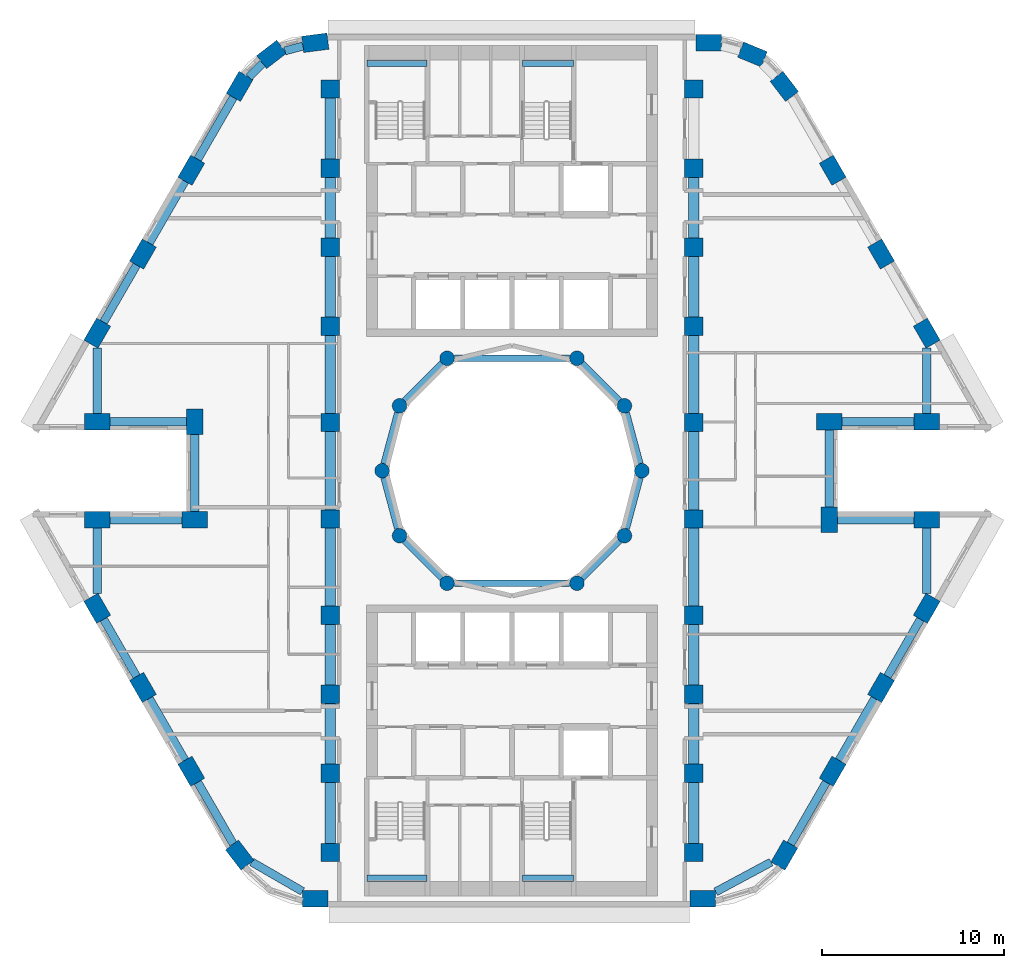
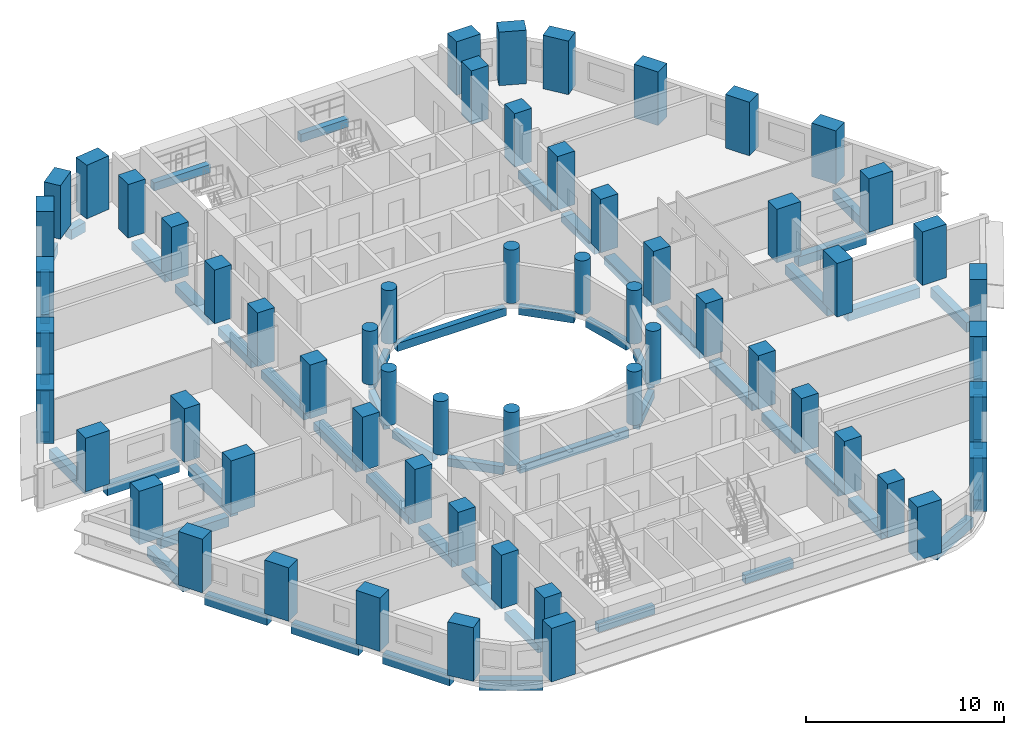
# One storey, part 1 of 12: 60 columns, 54 beams.
"""IFC4 building model written with IfcOpenShell, lengths in metres."""

from ifc_helpers import new_model, si_unit, direction, frame, origin, origin_2d, place, context, subcontext, project, spatial, rectangle, circle, extrude, material, material_profile, profile_set, type_object, element, save


model = new_model("IFC4")

# Units and contexts
model_context = context("Model", 3, precision=1e-05, world=origin(), true_north=direction((0.0, 1.0)))
body_context = subcontext(model_context, "Body", "Model", "MODEL_VIEW")
ifc_project = project(units=[si_unit("LENGTHUNIT", "METRE"), si_unit("AREAUNIT", "SQUARE_METRE"), si_unit("VOLUMEUNIT", "CUBIC_METRE"), si_unit("PLANEANGLEUNIT", "RADIAN"), si_unit("MASSUNIT", "GRAM", prefix="KILO")], contexts=[model_context])

# Site, building, storey
site_placement = place(None, origin())
site = spatial("IfcSite", under=ifc_project, at=site_placement, CompositionType="ELEMENT")
building_placement = place(site_placement, origin())
building = spatial("IfcBuilding", under=site, at=building_placement, Name="Nakaniwa Court", CompositionType="ELEMENT")
storey_placement = place(building_placement, frame((0.0, 0.0, 104.10009765625)))
storey = spatial("IfcBuildingStorey", under=building, at=storey_placement, Name="L27", CompositionType="ELEMENT", Elevation=104.10009765625)

# Columns
ifc_material = material(Name="Concrete C80/100", Category="concrete")
ifc_material_profile_1 = material_profile(ifc_material, rectangle(XDim=1.0, YDim=1.0, at=origin_2d()), Name="Concrete C80/100 RC 1000x1000 spine column")
ifc_profile_set_1 = profile_set([ifc_material_profile_1], Name="Concrete C80/100")
column_type_1 = type_object("IfcColumnType", Name="Concrete C80/100 RC 1000x1000 spine column", PredefinedType="COLUMN", material=ifc_profile_set_1)
for number, where, z_axis, x_axis, name in (
    (1, (90.0, 59.0, 0.0), (0.0, 0.0, 1.0), (0.0, 1.0, 0.0), "COLUMN CS-01"),
    (2, (90.0, 63.35009765625, 0.0), (0.0, 0.0, 1.0), (0.0, 1.0, 0.0), "COLUMN CS-02"),
    (3, (90.0, 67.699951171875, 0.0), (0.0, 0.0, 1.0), (0.0, 1.0, 0.0), "COLUMN CS-03"),
    (4, (90.0, 72.050048828125, 0.0), (0.0, 0.0, 1.0), (0.0, 1.0, 0.0), "COLUMN CS-04"),
    (5, (90.0, 77.35009765625, 0.0), (0.0, 0.0, 1.0), (0.0, 1.0, 0.0), "COLUMN CS-05"),
    (6, (90.0, 82.64990234375, 0.0), (0.0, 0.0, 1.0), (0.0, 1.0, 0.0), "COLUMN CS-06"),
    (7, (90.0, 87.949951171875, 0.0), (0.0, 0.0, 1.0), (0.0, 1.0, 0.0), "COLUMN CS-07"),
    (8, (90.0, 92.300048828125, 0.0), (0.0, 0.0, 1.0), (0.0, 1.0, 0.0), "COLUMN CS-08"),
    (9, (90.0, 96.64990234375, 0.0), (0.0, 0.0, 1.0), (0.0, 1.0, 0.0), "COLUMN CS-09"),
    (10, (90.0, 101.0, 0.0), (0.0, 0.0, 1.0), (0.0, 1.0, 0.0), "COLUMN CS-10"),
    (11, (70.0, 101.0, 0.0), (0.0, 0.0, 1.0), (0.0, -1.0, 0.0), "COLUMN CS-11"),
    (12, (70.0, 96.64990234375, 0.0), (0.0, 0.0, 1.0), (0.0, -1.0, 0.0), "COLUMN CS-12"),
    (13, (70.0, 92.300048828125, 0.0), (0.0, 0.0, 1.0), (0.0, -1.0, 0.0), "COLUMN CS-13"),
    (14, (70.0, 87.949951171875, 0.0), (0.0, 0.0, 1.0), (0.0, -1.0, 0.0), "COLUMN CS-14"),
    (15, (70.0, 82.64990234375, 0.0), (0.0, 0.0, 1.0), (0.0, -1.0, 0.0), "COLUMN CS-15"),
    (16, (70.0, 77.35009765625, 0.0), (0.0, 0.0, 1.0), (0.0, -1.0, 0.0), "COLUMN CS-16"),
    (17, (70.0, 72.050048828125, 0.0), (0.0, 0.0, 1.0), (0.0, -1.0, 0.0), "COLUMN CS-17"),
    (18, (70.0, 67.699951171875, 0.0), (0.0, 0.0, 1.0), (0.0, -1.0, 0.0), "COLUMN CS-18"),
    (19, (70.0, 63.35009765625, 0.0), (0.0, 0.0, 1.0), (0.0, -1.0, 0.0), "COLUMN CS-19"),
    (20, (70.0, 59.0, 0.0), (0.0, 0.0, 1.0), (0.0, -1.0, 0.0), "COLUMN CS-20"),
):
    element("IfcColumn", number, at=place(storey_placement, frame(where, z_axis=z_axis, x_axis=x_axis)), inside=storey, type_object=column_type_1, Name=name, PredefinedType="COLUMN", context=body_context, shape_type="SweptSolid", body=[
        extrude(rectangle(XDim=1.0, YDim=1.0, at=origin_2d()), origin(), (0.0, 0.0, 1.0), 3.2998046875),
    ])
ifc_material_profile_2 = material_profile(ifc_material, rectangle(XDim=1.39990234375, YDim=0.89990234375, at=origin_2d()), Name="Concrete C80/100 RC 1400x900 perimeter column")
ifc_profile_set_2 = profile_set([ifc_material_profile_2], Name="Concrete C80/100")
column_type_2 = type_object("IfcColumnType", Name="Concrete C80/100 RC 1400x900 perimeter column", PredefinedType="COLUMN", material=ifc_profile_set_2)
for number, where, z_axis, x_axis, name in (
    (21, (69.17529296875, 103.550048828125, 0.0), (0.0, 0.0, 1.0), (-0.991442583111, -0.130543496177, 0.0), "COLUMN CO-01"),
    (22, (66.772705078125, 102.91015625, 0.0), (0.0, 0.0, 1.0), (-0.793363965062, -0.608747582288, 0.0), "COLUMN CO-02"),
    (23, (65.017578125, 101.1494140625, 0.0), (0.0, 0.0, 1.0), (-0.5, -0.866025403784, 0.0), "COLUMN CO-03"),
    (24, (62.3544921875, 96.537109375, 0.0), (0.0, 0.0, 1.0), (-0.5, -0.866025403784, 0.0), "COLUMN CO-04"),
    (25, (59.691650390625, 91.9248046875, 0.0), (0.0, 0.0, 1.0), (-0.5, -0.866025403784, 0.0), "COLUMN CO-05"),
    (26, (57.177001953125, 87.569580078125, 0.0), (0.0, 0.0, 1.0), (-0.5, -0.866025403784, 0.0), "COLUMN CO-06"),
    (27, (57.177001953125, 82.699951171875, 0.0), (0.0, 0.0, 1.0), (1.0, 0.0, 0.0), "COLUMN CO-08"),
    (28, (62.54150390625, 82.699951171875, 0.0), (0.0, 0.0, 1.0), (0.0, -1.0, 0.0), "COLUMN CO-09"),
    (29, (62.54150390625, 77.300048828125, 0.0), (0.0, 0.0, 1.0), (-1.0, 0.0, 0.0), "COLUMN CO-10"),
    (30, (57.177001953125, 77.300048828125, 0.0), (0.0, 0.0, 1.0), (-1.0, 0.0, 0.0), "COLUMN CO-11"),
    (31, (57.177001953125, 72.430419921875, 0.0), (0.0, 0.0, 1.0), (0.5, -0.866025403784, 0.0), "COLUMN CO-13"),
    (32, (59.691650390625, 68.0751953125, 0.0), (0.0, 0.0, 1.0), (0.5, -0.866025403784, 0.0), "COLUMN CO-14"),
    (33, (62.3544921875, 63.462890625, 0.0), (0.0, 0.0, 1.0), (0.5, -0.866025403784, 0.0), "COLUMN CO-15"),
    (34, (65.017578125, 58.8505859375, 0.0), (0.0, 0.0, 1.0), (0.608761429009, -0.793353340291, 0.0), "COLUMN CO-16"),
    (35, (69.17529296875, 56.449951171875, 0.0), (0.0, 0.0, 1.0), (1.0, 0.0, 0.0), "COLUMN CO-17"),
    (36, (90.507080078125, 56.449951171875, 0.0), (0.0, 0.0, 1.0), (1.0, 0.0, 0.0), "COLUMN CO-21"),
    (37, (94.982421875, 58.8505859375, 0.0), (0.0, 0.0, 1.0), (0.5, 0.866025403784, 0.0), "COLUMN CO-22"),
    (38, (97.6455078125, 63.462890625, 0.0), (0.0, 0.0, 1.0), (0.5, 0.866025403784, 0.0), "COLUMN CO-23"),
    (39, (100.308349609375, 68.0751953125, 0.0), (0.0, 0.0, 1.0), (0.5, 0.866025403784, 0.0), "COLUMN CO-24"),
    (40, (102.822998046875, 72.430419921875, 0.0), (0.0, 0.0, 1.0), (0.5, 0.866025403784, 0.0), "COLUMN CO-25"),
    (41, (102.822998046875, 77.300048828125, 0.0), (0.0, 0.0, 1.0), (-1.0, 0.0, 0.0), "COLUMN CO-27"),
    (42, (97.45849609375, 77.300048828125, 0.0), (0.0, 0.0, 1.0), (0.0, 1.0, 0.0), "COLUMN CO-28"),
    (43, (97.45849609375, 82.699951171875, 0.0), (0.0, 0.0, 1.0), (1.0, 0.0, 0.0), "COLUMN CO-29"),
    (44, (102.822998046875, 82.699951171875, 0.0), (0.0, 0.0, 1.0), (1.0, 0.0, 0.0), "COLUMN CO-30"),
    (45, (102.822998046875, 87.569580078125, 0.0), (0.0, 0.0, 1.0), (-0.5, 0.866025403784, 0.0), "COLUMN CO-32"),
    (46, (100.308349609375, 91.9248046875, 0.0), (0.0, 0.0, 1.0), (-0.5, 0.866025403784, 0.0), "COLUMN CO-33"),
    (47, (97.6455078125, 96.537109375, 0.0), (0.0, 0.0, 1.0), (-0.5, 0.866025403784, 0.0), "COLUMN CO-34"),
    (48, (94.982421875, 101.1494140625, 0.0), (0.0, 0.0, 1.0), (-0.608761429009, 0.793353340291, 0.0), "COLUMN CO-35"),
    (49, (93.227294921875, 102.91015625, 0.0), (0.0, 0.0, 1.0), (-0.923879532511, 0.382683432365, 0.0), "COLUMN CO-36"),
    (50, (90.82470703125, 103.550048828125, 0.0), (0.0, 0.0, 1.0), (-1.0, 0.0, 0.0), "COLUMN CO-37"),
):
    element("IfcColumn", number, at=place(storey_placement, frame(where, z_axis=z_axis, x_axis=x_axis)), inside=storey, type_object=column_type_2, Name=name, PredefinedType="COLUMN", context=body_context, shape_type="SweptSolid", body=[
        extrude(rectangle(XDim=1.39990234375, YDim=0.89990234375, at=origin_2d()), origin(), (0.0, 0.0, 1.0), 3.2998046875),
    ])
ifc_material_profile_3 = material_profile(ifc_material, circle(Radius=0.39990234375, at=origin_2d()), Name="Concrete C80/100 RC D800 inner ring column")
ifc_profile_set_3 = profile_set([ifc_material_profile_3], Name="Concrete C80/100")
column_type_3 = type_object("IfcColumnType", Name="Concrete C80/100 RC D800 inner ring column", PredefinedType="COLUMN", material=ifc_profile_set_3)
for number, where, z_axis, x_axis, name in (
    (51, (87.14990234375, 80.0, 0.0), (0.0, 0.0, 1.0), (0.0, 1.0, 0.0), "COLUMN CI-01"),
    (52, (86.192138671875, 83.574951171875, 0.0), (0.0, 0.0, 1.0), (-0.5, 0.866025403784, 0.0), "COLUMN CI-02"),
    (53, (83.574951171875, 86.192138671875, 0.0), (0.0, 0.0, 1.0), (-0.866025403784, 0.5, 0.0), "COLUMN CI-03"),
    (54, (76.425048828125, 86.192138671875, 0.0), (0.0, 0.0, 1.0), (-0.866025403784, -0.5, 0.0), "COLUMN CI-05"),
    (55, (73.807861328125, 83.574951171875, 0.0), (0.0, 0.0, 1.0), (-0.5, -0.866025403784, 0.0), "COLUMN CI-06"),
    (56, (72.85009765625, 80.0, 0.0), (0.0, 0.0, 1.0), (0.0, -1.0, 0.0), "COLUMN CI-07"),
    (57, (73.807861328125, 76.425048828125, 0.0), (0.0, 0.0, 1.0), (0.5, -0.866025403784, 0.0), "COLUMN CI-08"),
    (58, (76.425048828125, 73.807861328125, 0.0), (0.0, 0.0, 1.0), (0.866025403784, -0.5, 0.0), "COLUMN CI-09"),
    (59, (83.574951171875, 73.807861328125, 0.0), (0.0, 0.0, 1.0), (0.866025403784, 0.5, 0.0), "COLUMN CI-11"),
    (60, (86.192138671875, 76.425048828125, 0.0), (0.0, 0.0, 1.0), (0.5, 0.866025403784, 0.0), "COLUMN CI-12"),
):
    element("IfcColumn", number, at=place(storey_placement, frame(where, z_axis=z_axis, x_axis=x_axis)), inside=storey, type_object=column_type_3, Name=name, PredefinedType="COLUMN", context=body_context, shape_type="SweptSolid", body=[
        extrude(circle(Radius=0.39990234375, at=origin_2d()), origin(), (0.0, 0.0, 1.0), 3.2998046875),
    ])

# Beams
ifc_material_profile_4 = material_profile(ifc_material, rectangle(XDim=0.35009765625, YDim=0.5, at=origin_2d()), Name="Concrete C80/100 RC 350x500 landing ledge beam")
ifc_profile_set_4 = profile_set([ifc_material_profile_4], Name="Concrete C80/100")
beam_type_1 = type_object("IfcBeamType", Name="Concrete C80/100 RC 350x500 landing ledge beam", PredefinedType="BEAM", material=ifc_profile_set_4)
beam_1_placement = place(storey_placement, frame((72.02490234375, 102.425048828125, 1.199951171875), z_axis=(1.0, 0.0, 0.0), x_axis=(0.0, 1.0, 0.0)))
element("IfcBeam", 61, at=beam_1_placement, inside=storey, type_object=beam_type_1, Name="LANDING LEDGE BEAM", PredefinedType="BEAM", context=body_context, shape_type="SweptSolid", body=[
    extrude(rectangle(XDim=0.35009765625, YDim=0.5, at=origin_2d()), origin(), (0.0, 0.0, 1.0), 3.300048828125),
])
beam_2_placement = place(storey_placement, frame((80.574951171875, 102.425048828125, 1.199951171875), z_axis=(1.0, 0.0, 0.0), x_axis=(0.0, 1.0, 0.0)))
element("IfcBeam", 62, at=beam_2_placement, inside=storey, type_object=beam_type_1, Name="LANDING LEDGE BEAM", PredefinedType="BEAM", context=body_context, shape_type="SweptSolid", body=[
    extrude(rectangle(XDim=0.35009765625, YDim=0.5, at=origin_2d()), origin(), (0.0, 0.0, 1.0), 2.800048828125),
])
beam_3_placement = place(storey_placement, frame((72.02490234375, 57.574951171875, 1.199951171875), z_axis=(1.0, 0.0, 0.0), x_axis=(0.0, 1.0, 0.0)))
element("IfcBeam", 63, at=beam_3_placement, inside=storey, type_object=beam_type_1, Name="LANDING LEDGE BEAM", PredefinedType="BEAM", context=body_context, shape_type="SweptSolid", body=[
    extrude(rectangle(XDim=0.35009765625, YDim=0.5, at=origin_2d()), origin(), (0.0, 0.0, 1.0), 3.300048828125),
])
beam_4_placement = place(storey_placement, frame((80.574951171875, 57.574951171875, 1.199951171875), z_axis=(1.0, 0.0, 0.0), x_axis=(0.0, 1.0, 0.0)))
element("IfcBeam", 64, at=beam_4_placement, inside=storey, type_object=beam_type_1, Name="LANDING LEDGE BEAM", PredefinedType="BEAM", context=body_context, shape_type="SweptSolid", body=[
    extrude(rectangle(XDim=0.35009765625, YDim=0.5, at=origin_2d()), origin(), (0.0, 0.0, 1.0), 2.800048828125),
])
ifc_material_profile_5 = material_profile(ifc_material, rectangle(XDim=0.35009765625, YDim=0.5, at=origin_2d()), Name="Concrete C80/100 RC 350x500 ring beam")
ifc_profile_set_5 = profile_set([ifc_material_profile_5], Name="Concrete C80/100")
beam_type_2 = type_object("IfcBeamType", Name="Concrete C80/100 RC 350x500 ring beam", PredefinedType="BEAM", material=ifc_profile_set_5)
beam_5_placement = place(storey_placement, frame((87.04638671875, 80.386474609375, -0.525146484375), z_axis=(-0.258778150207, 0.965936783115, 0.0), x_axis=(-0.965936783115, -0.258778150207, 0.0)))
element("IfcBeam", 65, at=beam_5_placement, inside=storey, type_object=beam_type_2, Name="RING BEAM", PredefinedType="BEAM", context=body_context, shape_type="SweptSolid", body=[
    extrude(rectangle(XDim=0.35009765625, YDim=0.5, at=origin_2d()), origin(), (0.0, 0.0, 1.0), 2.901123046875),
])
beam_6_placement = place(storey_placement, frame((85.9091796875, 83.85791015625, -0.525146484375), z_axis=(-0.707106781187, 0.707106781187, 0.0), x_axis=(-0.707106781187, -0.707106781187, 0.0)))
element("IfcBeam", 66, at=beam_6_placement, inside=storey, type_object=beam_type_2, Name="RING BEAM", PredefinedType="BEAM", context=body_context, shape_type="SweptSolid", body=[
    extrude(rectangle(XDim=0.35009765625, YDim=0.5, at=origin_2d()), origin(), (0.0, 0.0, 1.0), 2.90087890625),
])
beam_7_placement = place(storey_placement, frame((83.175048828125, 86.192138671875, -0.525146484375), z_axis=(-1.0, 0.0, 0.0), x_axis=(0.0, -1.0, 0.0)))
element("IfcBeam", 67, at=beam_7_placement, inside=storey, type_object=beam_type_2, Name="RING BEAM", PredefinedType="BEAM", context=body_context, shape_type="SweptSolid", body=[
    extrude(rectangle(XDim=0.35009765625, YDim=0.5, at=origin_2d()), origin(), (0.0, 0.0, 1.0), 6.35009765625),
])
beam_8_placement = place(storey_placement, frame((76.14208984375, 85.9091796875, -0.525146484375), z_axis=(-0.707106781187, -0.707106781187, 0.0), x_axis=(0.707106781187, -0.707106781187, 0.0)))
element("IfcBeam", 68, at=beam_8_placement, inside=storey, type_object=beam_type_2, Name="RING BEAM", PredefinedType="BEAM", context=body_context, shape_type="SweptSolid", body=[
    extrude(rectangle(XDim=0.35009765625, YDim=0.5, at=origin_2d()), origin(), (0.0, 0.0, 1.0), 2.90087890625),
])
for number, where, z_axis, x_axis, name in (
    (69, (73.704345703125, 83.188720703125, -0.525146484375), (-0.258778150207, -0.965936783115, 0.0), (0.965936783115, -0.258778150207, 0.0), "RING BEAM"),
    (70, (72.95361328125, 79.613525390625, -0.525146484375), (0.258778150207, -0.965936783115, 0.0), (0.965936783115, 0.258778150207, 0.0), "RING BEAM"),
):
    element("IfcBeam", number, at=place(storey_placement, frame(where, z_axis=z_axis, x_axis=x_axis)), inside=storey, type_object=beam_type_2, Name=name, PredefinedType="BEAM", context=body_context, shape_type="SweptSolid", body=[
        extrude(rectangle(XDim=0.35009765625, YDim=0.5, at=origin_2d()), origin(), (0.0, 0.0, 1.0), 2.901123046875),
    ])
beam_9_placement = place(storey_placement, frame((74.0908203125, 76.14208984375, -0.525146484375), z_axis=(0.707106781187, -0.707106781187, 0.0), x_axis=(0.707106781187, 0.707106781187, 0.0)))
element("IfcBeam", 71, at=beam_9_placement, inside=storey, type_object=beam_type_2, Name="RING BEAM", PredefinedType="BEAM", context=body_context, shape_type="SweptSolid", body=[
    extrude(rectangle(XDim=0.35009765625, YDim=0.5, at=origin_2d()), origin(), (0.0, 0.0, 1.0), 2.90087890625),
])
beam_10_placement = place(storey_placement, frame((76.824951171875, 73.807861328125, -0.525146484375), z_axis=(1.0, 0.0, 0.0), x_axis=(0.0, 1.0, 0.0)))
element("IfcBeam", 72, at=beam_10_placement, inside=storey, type_object=beam_type_2, Name="RING BEAM", PredefinedType="BEAM", context=body_context, shape_type="SweptSolid", body=[
    extrude(rectangle(XDim=0.35009765625, YDim=0.5, at=origin_2d()), origin(), (0.0, 0.0, 1.0), 6.35009765625),
])
beam_11_placement = place(storey_placement, frame((83.85791015625, 74.0908203125, -0.525146484375), z_axis=(0.707106781187, 0.707106781187, 0.0), x_axis=(-0.707106781187, 0.707106781187, 0.0)))
element("IfcBeam", 73, at=beam_11_placement, inside=storey, type_object=beam_type_2, Name="RING BEAM", PredefinedType="BEAM", context=body_context, shape_type="SweptSolid", body=[
    extrude(rectangle(XDim=0.35009765625, YDim=0.5, at=origin_2d()), origin(), (0.0, 0.0, 1.0), 2.90087890625),
])
beam_12_placement = place(storey_placement, frame((86.295654296875, 76.811279296875, -0.525146484375), z_axis=(0.258778150207, 0.965936783115, 0.0), x_axis=(-0.965936783115, 0.258778150207, 0.0)))
element("IfcBeam", 74, at=beam_12_placement, inside=storey, type_object=beam_type_2, Name="RING BEAM", PredefinedType="BEAM", context=body_context, shape_type="SweptSolid", body=[
    extrude(rectangle(XDim=0.35009765625, YDim=0.5, at=origin_2d()), origin(), (0.0, 0.0, 1.0), 2.901123046875),
])
ifc_material_profile_6 = material_profile(ifc_material, rectangle(XDim=0.449951171875, YDim=0.60009765625, at=origin_2d()), Name="Concrete C80/100 RC 450x600 spandrel beam")
ifc_profile_set_6 = profile_set([ifc_material_profile_6], Name="Concrete C80/100")
beam_type_3 = type_object("IfcBeamType", Name="Concrete C80/100 RC 450x600 spandrel beam", PredefinedType="BEAM", material=ifc_profile_set_6)
beam_13_placement = place(storey_placement, frame((68.4931640625, 103.368408203125, -0.5751953125), z_axis=(-0.966290412053, -0.257454538851, 0.0), x_axis=(0.257454538851, -0.966290412053, 0.0)))
element("IfcBeam", 75, at=beam_13_placement, inside=storey, type_object=beam_type_3, Name="SPANDREL BEAM", PredefinedType="BEAM", context=body_context, shape_type="SweptSolid", body=[
    extrude(rectangle(XDim=0.449951171875, YDim=0.60009765625, at=origin_2d()), origin(), (0.0, 0.0, 1.0), 1.022216796875),
])
beam_14_placement = place(storey_placement, frame((66.274169921875, 102.41015625, -0.5751953125), z_axis=(-0.70606530329, -0.708146727374, 0.0), x_axis=(0.708146727374, -0.70606530329, 0.0)))
element("IfcBeam", 76, at=beam_14_placement, inside=storey, type_object=beam_type_3, Name="SPANDREL BEAM", PredefinedType="BEAM", context=body_context, shape_type="SweptSolid", body=[
    extrude(rectangle(XDim=0.449951171875, YDim=0.60009765625, at=origin_2d()), origin(), (0.0, 0.0, 1.0), 1.0556640625),
])
for number, where, z_axis, x_axis, name in (
    (77, (64.66748046875, 100.543212890625, -0.5751953125), (-0.49999161165, -0.866030246746, 0.0), (0.866030246746, -0.49999161165, 0.0), "SPANDREL BEAM"),
    (78, (62.00439453125, 95.930908203125, -0.5751953125), (-0.49999161165, -0.866030246746, 0.0), (0.866030246746, -0.49999161165, 0.0), "SPANDREL BEAM"),
):
    element("IfcBeam", number, at=place(storey_placement, frame(where, z_axis=z_axis, x_axis=x_axis)), inside=storey, type_object=beam_type_3, Name=name, PredefinedType="BEAM", context=body_context, shape_type="SweptSolid", body=[
        extrude(rectangle(XDim=0.449951171875, YDim=0.60009765625, at=origin_2d()), origin(), (0.0, 0.0, 1.0), 3.92578125),
    ])
beam_15_placement = place(storey_placement, frame((59.341552734375, 91.318603515625, -0.5751953125), z_axis=(-0.499988394233, -0.866032104273, 0.0), x_axis=(0.866032104273, -0.499988394233, 0.0)))
element("IfcBeam", 79, at=beam_15_placement, inside=storey, type_object=beam_type_3, Name="SPANDREL BEAM", PredefinedType="BEAM", context=body_context, shape_type="SweptSolid", body=[
    extrude(rectangle(XDim=0.449951171875, YDim=0.60009765625, at=origin_2d()), origin(), (0.0, 0.0, 1.0), 3.62890625),
])
beam_16_placement = place(storey_placement, frame((57.177001953125, 86.761474609375, -0.5751953125), z_axis=(0.0, -1.0, 0.0), x_axis=(1.0, 0.0, 0.0)))
element("IfcBeam", 80, at=beam_16_placement, inside=storey, type_object=beam_type_3, Name="SPANDREL BEAM", PredefinedType="BEAM", context=body_context, shape_type="SweptSolid", body=[
    extrude(rectangle(XDim=0.449951171875, YDim=0.60009765625, at=origin_2d()), origin(), (0.0, 0.0, 1.0), 3.611572265625),
])
beam_17_placement = place(storey_placement, frame((57.877197265625, 82.699951171875, -0.5751953125), z_axis=(1.0, 0.0, 0.0), x_axis=(0.0, 1.0, 0.0)))
element("IfcBeam", 81, at=beam_17_placement, inside=storey, type_object=beam_type_3, Name="SPANDREL BEAM", PredefinedType="BEAM", context=body_context, shape_type="SweptSolid", body=[
    extrude(rectangle(XDim=0.449951171875, YDim=0.60009765625, at=origin_2d()), origin(), (0.0, 0.0, 1.0), 4.21435546875),
])
beam_18_placement = place(storey_placement, frame((62.54150390625, 82.0, -0.5751953125), z_axis=(0.0, -1.0, 0.0), x_axis=(1.0, 0.0, 0.0)))
element("IfcBeam", 82, at=beam_18_placement, inside=storey, type_object=beam_type_3, Name="SPANDREL BEAM", PredefinedType="BEAM", context=body_context, shape_type="SweptSolid", body=[
    extrude(rectangle(XDim=0.449951171875, YDim=0.60009765625, at=origin_2d()), origin(), (0.0, 0.0, 1.0), 4.25),
])
beam_19_placement = place(storey_placement, frame((61.841552734375, 77.300048828125, -0.5751953125), z_axis=(-1.0, 0.0, 0.0), x_axis=(0.0, -1.0, 0.0)))
element("IfcBeam", 83, at=beam_19_placement, inside=storey, type_object=beam_type_3, Name="SPANDREL BEAM", PredefinedType="BEAM", context=body_context, shape_type="SweptSolid", body=[
    extrude(rectangle(XDim=0.449951171875, YDim=0.60009765625, at=origin_2d()), origin(), (0.0, 0.0, 1.0), 3.96435546875),
])
beam_20_placement = place(storey_placement, frame((57.177001953125, 76.85009765625, -0.5751953125), z_axis=(0.0, -1.0, 0.0), x_axis=(1.0, 0.0, 0.0)))
element("IfcBeam", 84, at=beam_20_placement, inside=storey, type_object=beam_type_3, Name="SPANDREL BEAM", PredefinedType="BEAM", context=body_context, shape_type="SweptSolid", body=[
    extrude(rectangle(XDim=0.449951171875, YDim=0.60009765625, at=origin_2d()), origin(), (0.0, 0.0, 1.0), 3.611572265625),
])
beam_21_placement = place(storey_placement, frame((57.527099609375, 71.82421875, -0.5751953125), z_axis=(0.499988394233, -0.866032104273, 0.0), x_axis=(0.866032104273, 0.499988394233, 0.0)))
element("IfcBeam", 85, at=beam_21_placement, inside=storey, type_object=beam_type_3, Name="SPANDREL BEAM", PredefinedType="BEAM", context=body_context, shape_type="SweptSolid", body=[
    extrude(rectangle(XDim=0.449951171875, YDim=0.60009765625, at=origin_2d()), origin(), (0.0, 0.0, 1.0), 3.62890625),
])
beam_22_placement = place(storey_placement, frame((60.04150390625, 67.468994140625, -0.5751953125), z_axis=(0.49999161165, -0.866030246746, 0.0), x_axis=(0.866030246746, 0.49999161165, 0.0)))
element("IfcBeam", 86, at=beam_22_placement, inside=storey, type_object=beam_type_3, Name="SPANDREL BEAM", PredefinedType="BEAM", context=body_context, shape_type="SweptSolid", body=[
    extrude(rectangle(XDim=0.449951171875, YDim=0.60009765625, at=origin_2d()), origin(), (0.0, 0.0, 1.0), 3.92578125),
])
beam_23_placement = place(storey_placement, frame((62.70458984375, 62.856689453125, -0.5751953125), z_axis=(0.499997407846, -0.86602690036, 0.0), x_axis=(0.86602690036, 0.499997407846, 0.0)))
element("IfcBeam", 87, at=beam_23_placement, inside=storey, type_object=beam_type_3, Name="SPANDREL BEAM", PredefinedType="BEAM", context=body_context, shape_type="SweptSolid", body=[
    extrude(rectangle(XDim=0.449951171875, YDim=0.60009765625, at=origin_2d()), origin(), (0.0, 0.0, 1.0), 3.919921875),
])
beam_24_placement = place(storey_placement, frame((65.673583984375, 58.4716796875, -0.5751953125), z_axis=(0.866014675542, -0.5000185814, 0.0), x_axis=(0.5000185814, 0.866014675542, 0.0)))
element("IfcBeam", 88, at=beam_24_placement, inside=storey, type_object=beam_type_3, Name="SPANDREL BEAM", PredefinedType="BEAM", context=body_context, shape_type="SweptSolid", body=[
    extrude(rectangle(XDim=0.449951171875, YDim=0.60009765625, at=origin_2d()), origin(), (0.0, 0.0, 1.0), 3.2353515625),
])
beam_25_placement = place(storey_placement, frame((91.20703125, 56.825439453125, -0.5751953125), z_axis=(0.881233381314, 0.472681423009, 0.0), x_axis=(-0.472681423009, 0.881233381314, 0.0)))
element("IfcBeam", 89, at=beam_25_placement, inside=storey, type_object=beam_type_3, Name="SPANDREL BEAM", PredefinedType="BEAM", context=body_context, shape_type="SweptSolid", body=[
    extrude(rectangle(XDim=0.449951171875, YDim=0.60009765625, at=origin_2d()), origin(), (0.0, 0.0, 1.0), 3.46044921875),
])
for number, where, z_axis, x_axis, name in (
    (90, (95.33251953125, 59.456787109375, -0.5751953125), (0.49999161165, 0.866030246746, 0.0), (-0.866030246746, 0.49999161165, 0.0), "SPANDREL BEAM"),
    (91, (97.99560546875, 64.069091796875, -0.5751953125), (0.49999161165, 0.866030246746, 0.0), (-0.866030246746, 0.49999161165, 0.0), "SPANDREL BEAM"),
):
    element("IfcBeam", number, at=place(storey_placement, frame(where, z_axis=z_axis, x_axis=x_axis)), inside=storey, type_object=beam_type_3, Name=name, PredefinedType="BEAM", context=body_context, shape_type="SweptSolid", body=[
        extrude(rectangle(XDim=0.449951171875, YDim=0.60009765625, at=origin_2d()), origin(), (0.0, 0.0, 1.0), 3.92578125),
    ])
beam_26_placement = place(storey_placement, frame((100.658447265625, 68.681396484375, -0.5751953125), z_axis=(0.499988394233, 0.866032104273, 0.0), x_axis=(-0.866032104273, 0.499988394233, 0.0)))
element("IfcBeam", 92, at=beam_26_placement, inside=storey, type_object=beam_type_3, Name="SPANDREL BEAM", PredefinedType="BEAM", context=body_context, shape_type="SweptSolid", body=[
    extrude(rectangle(XDim=0.449951171875, YDim=0.60009765625, at=origin_2d()), origin(), (0.0, 0.0, 1.0), 3.62890625),
])
beam_27_placement = place(storey_placement, frame((102.822998046875, 73.238525390625, -0.5751953125), z_axis=(0.0, 1.0, 0.0), x_axis=(-1.0, 0.0, 0.0)))
element("IfcBeam", 93, at=beam_27_placement, inside=storey, type_object=beam_type_3, Name="SPANDREL BEAM", PredefinedType="BEAM", context=body_context, shape_type="SweptSolid", body=[
    extrude(rectangle(XDim=0.449951171875, YDim=0.60009765625, at=origin_2d()), origin(), (0.0, 0.0, 1.0), 3.611572265625),
])
beam_28_placement = place(storey_placement, frame((102.122802734375, 77.300048828125, -0.5751953125), z_axis=(-1.0, 0.0, 0.0), x_axis=(0.0, -1.0, 0.0)))
element("IfcBeam", 94, at=beam_28_placement, inside=storey, type_object=beam_type_3, Name="SPANDREL BEAM", PredefinedType="BEAM", context=body_context, shape_type="SweptSolid", body=[
    extrude(rectangle(XDim=0.449951171875, YDim=0.60009765625, at=origin_2d()), origin(), (0.0, 0.0, 1.0), 4.21435546875),
])
beam_29_placement = place(storey_placement, frame((97.45849609375, 78.0, -0.5751953125), z_axis=(0.0, 1.0, 0.0), x_axis=(-1.0, 0.0, 0.0)))
element("IfcBeam", 95, at=beam_29_placement, inside=storey, type_object=beam_type_3, Name="SPANDREL BEAM", PredefinedType="BEAM", context=body_context, shape_type="SweptSolid", body=[
    extrude(rectangle(XDim=0.449951171875, YDim=0.60009765625, at=origin_2d()), origin(), (0.0, 0.0, 1.0), 4.25),
])
beam_30_placement = place(storey_placement, frame((98.158447265625, 82.699951171875, -0.5751953125), z_axis=(1.0, 0.0, 0.0), x_axis=(0.0, 1.0, 0.0)))
element("IfcBeam", 96, at=beam_30_placement, inside=storey, type_object=beam_type_3, Name="SPANDREL BEAM", PredefinedType="BEAM", context=body_context, shape_type="SweptSolid", body=[
    extrude(rectangle(XDim=0.449951171875, YDim=0.60009765625, at=origin_2d()), origin(), (0.0, 0.0, 1.0), 3.96435546875),
])
beam_31_placement = place(storey_placement, frame((102.822998046875, 83.14990234375, -0.5751953125), z_axis=(0.0, 1.0, 0.0), x_axis=(-1.0, 0.0, 0.0)))
element("IfcBeam", 97, at=beam_31_placement, inside=storey, type_object=beam_type_3, Name="SPANDREL BEAM", PredefinedType="BEAM", context=body_context, shape_type="SweptSolid", body=[
    extrude(rectangle(XDim=0.449951171875, YDim=0.60009765625, at=origin_2d()), origin(), (0.0, 0.0, 1.0), 3.611572265625),
])
ifc_material_profile_7 = material_profile(ifc_material, rectangle(XDim=0.60009765625, YDim=0.5, at=origin_2d()), Name="Concrete C80/100 RC 600x500 ring beam")
ifc_profile_set_7 = profile_set([ifc_material_profile_7], Name="Concrete C80/100")
beam_type_4 = type_object("IfcBeamType", Name="Concrete C80/100 RC 600x500 ring beam", PredefinedType="BEAM", material=ifc_profile_set_7)
beam_32_placement = place(storey_placement, frame((90.0, 59.5, -0.525146484375), z_axis=(0.0, 1.0, 0.0), x_axis=(-1.0, 0.0, 0.0)))
element("IfcBeam", 98, at=beam_32_placement, inside=storey, type_object=beam_type_4, Name="RING BEAM", PredefinedType="BEAM", context=body_context, shape_type="SweptSolid", body=[
    extrude(rectangle(XDim=0.60009765625, YDim=0.5, at=origin_2d()), origin(), (0.0, 0.0, 1.0), 3.35009765625),
])
beam_33_placement = place(storey_placement, frame((90.0, 63.85009765625, -0.525146484375), z_axis=(0.0, 1.0, 0.0), x_axis=(-1.0, 0.0, 0.0)))
element("IfcBeam", 99, at=beam_33_placement, inside=storey, type_object=beam_type_4, Name="RING BEAM", PredefinedType="BEAM", context=body_context, shape_type="SweptSolid", body=[
    extrude(rectangle(XDim=0.60009765625, YDim=0.5, at=origin_2d()), origin(), (0.0, 0.0, 1.0), 3.349853515625),
])
beam_34_placement = place(storey_placement, frame((90.0, 68.199951171875, -0.525146484375), z_axis=(0.0, 1.0, 0.0), x_axis=(-1.0, 0.0, 0.0)))
element("IfcBeam", 100, at=beam_34_placement, inside=storey, type_object=beam_type_4, Name="RING BEAM", PredefinedType="BEAM", context=body_context, shape_type="SweptSolid", body=[
    extrude(rectangle(XDim=0.60009765625, YDim=0.5, at=origin_2d()), origin(), (0.0, 0.0, 1.0), 3.35009765625),
])
beam_35_placement = place(storey_placement, frame((90.0, 72.550048828125, -0.525146484375), z_axis=(0.0, 1.0, 0.0), x_axis=(-1.0, 0.0, 0.0)))
element("IfcBeam", 101, at=beam_35_placement, inside=storey, type_object=beam_type_4, Name="RING BEAM", PredefinedType="BEAM", context=body_context, shape_type="SweptSolid", body=[
    extrude(rectangle(XDim=0.60009765625, YDim=0.5, at=origin_2d()), origin(), (0.0, 0.0, 1.0), 4.300048828125),
])
beam_36_placement = place(storey_placement, frame((90.0, 77.85009765625, -0.525146484375), z_axis=(0.0, 1.0, 0.0), x_axis=(-1.0, 0.0, 0.0)))
element("IfcBeam", 102, at=beam_36_placement, inside=storey, type_object=beam_type_4, Name="RING BEAM", PredefinedType="BEAM", context=body_context, shape_type="SweptSolid", body=[
    extrude(rectangle(XDim=0.60009765625, YDim=0.5, at=origin_2d()), origin(), (0.0, 0.0, 1.0), 4.2998046875),
])
beam_37_placement = place(storey_placement, frame((90.0, 83.14990234375, -0.525146484375), z_axis=(0.0, 1.0, 0.0), x_axis=(-1.0, 0.0, 0.0)))
element("IfcBeam", 103, at=beam_37_placement, inside=storey, type_object=beam_type_4, Name="RING BEAM", PredefinedType="BEAM", context=body_context, shape_type="SweptSolid", body=[
    extrude(rectangle(XDim=0.60009765625, YDim=0.5, at=origin_2d()), origin(), (0.0, 0.0, 1.0), 4.300048828125),
])
beam_38_placement = place(storey_placement, frame((90.0, 88.449951171875, -0.525146484375), z_axis=(0.0, 1.0, 0.0), x_axis=(-1.0, 0.0, 0.0)))
element("IfcBeam", 104, at=beam_38_placement, inside=storey, type_object=beam_type_4, Name="RING BEAM", PredefinedType="BEAM", context=body_context, shape_type="SweptSolid", body=[
    extrude(rectangle(XDim=0.60009765625, YDim=0.5, at=origin_2d()), origin(), (0.0, 0.0, 1.0), 3.35009765625),
])
beam_39_placement = place(storey_placement, frame((90.0, 92.800048828125, -0.525146484375), z_axis=(0.0, 1.0, 0.0), x_axis=(-1.0, 0.0, 0.0)))
element("IfcBeam", 105, at=beam_39_placement, inside=storey, type_object=beam_type_4, Name="RING BEAM", PredefinedType="BEAM", context=body_context, shape_type="SweptSolid", body=[
    extrude(rectangle(XDim=0.60009765625, YDim=0.5, at=origin_2d()), origin(), (0.0, 0.0, 1.0), 3.349853515625),
])
beam_40_placement = place(storey_placement, frame((70.0, 100.5, -0.525146484375), z_axis=(0.0, -1.0, 0.0), x_axis=(1.0, 0.0, 0.0)))
element("IfcBeam", 106, at=beam_40_placement, inside=storey, type_object=beam_type_4, Name="RING BEAM", PredefinedType="BEAM", context=body_context, shape_type="SweptSolid", body=[
    extrude(rectangle(XDim=0.60009765625, YDim=0.5, at=origin_2d()), origin(), (0.0, 0.0, 1.0), 3.35009765625),
])
beam_41_placement = place(storey_placement, frame((70.0, 96.14990234375, -0.525146484375), z_axis=(0.0, -1.0, 0.0), x_axis=(1.0, 0.0, 0.0)))
element("IfcBeam", 107, at=beam_41_placement, inside=storey, type_object=beam_type_4, Name="RING BEAM", PredefinedType="BEAM", context=body_context, shape_type="SweptSolid", body=[
    extrude(rectangle(XDim=0.60009765625, YDim=0.5, at=origin_2d()), origin(), (0.0, 0.0, 1.0), 3.349853515625),
])
beam_42_placement = place(storey_placement, frame((70.0, 91.800048828125, -0.525146484375), z_axis=(0.0, -1.0, 0.0), x_axis=(1.0, 0.0, 0.0)))
element("IfcBeam", 108, at=beam_42_placement, inside=storey, type_object=beam_type_4, Name="RING BEAM", PredefinedType="BEAM", context=body_context, shape_type="SweptSolid", body=[
    extrude(rectangle(XDim=0.60009765625, YDim=0.5, at=origin_2d()), origin(), (0.0, 0.0, 1.0), 3.35009765625),
])
beam_43_placement = place(storey_placement, frame((70.0, 87.449951171875, -0.525146484375), z_axis=(0.0, -1.0, 0.0), x_axis=(1.0, 0.0, 0.0)))
element("IfcBeam", 109, at=beam_43_placement, inside=storey, type_object=beam_type_4, Name="RING BEAM", PredefinedType="BEAM", context=body_context, shape_type="SweptSolid", body=[
    extrude(rectangle(XDim=0.60009765625, YDim=0.5, at=origin_2d()), origin(), (0.0, 0.0, 1.0), 4.300048828125),
])
beam_44_placement = place(storey_placement, frame((70.0, 82.14990234375, -0.525146484375), z_axis=(0.0, -1.0, 0.0), x_axis=(1.0, 0.0, 0.0)))
element("IfcBeam", 110, at=beam_44_placement, inside=storey, type_object=beam_type_4, Name="RING BEAM", PredefinedType="BEAM", context=body_context, shape_type="SweptSolid", body=[
    extrude(rectangle(XDim=0.60009765625, YDim=0.5, at=origin_2d()), origin(), (0.0, 0.0, 1.0), 4.2998046875),
])
beam_45_placement = place(storey_placement, frame((70.0, 76.85009765625, -0.525146484375), z_axis=(0.0, -1.0, 0.0), x_axis=(1.0, 0.0, 0.0)))
element("IfcBeam", 111, at=beam_45_placement, inside=storey, type_object=beam_type_4, Name="RING BEAM", PredefinedType="BEAM", context=body_context, shape_type="SweptSolid", body=[
    extrude(rectangle(XDim=0.60009765625, YDim=0.5, at=origin_2d()), origin(), (0.0, 0.0, 1.0), 4.300048828125),
])
beam_46_placement = place(storey_placement, frame((70.0, 71.550048828125, -0.525146484375), z_axis=(0.0, -1.0, 0.0), x_axis=(1.0, 0.0, 0.0)))
element("IfcBeam", 112, at=beam_46_placement, inside=storey, type_object=beam_type_4, Name="RING BEAM", PredefinedType="BEAM", context=body_context, shape_type="SweptSolid", body=[
    extrude(rectangle(XDim=0.60009765625, YDim=0.5, at=origin_2d()), origin(), (0.0, 0.0, 1.0), 3.35009765625),
])
beam_47_placement = place(storey_placement, frame((70.0, 67.199951171875, -0.525146484375), z_axis=(0.0, -1.0, 0.0), x_axis=(1.0, 0.0, 0.0)))
element("IfcBeam", 113, at=beam_47_placement, inside=storey, type_object=beam_type_4, Name="RING BEAM", PredefinedType="BEAM", context=body_context, shape_type="SweptSolid", body=[
    extrude(rectangle(XDim=0.60009765625, YDim=0.5, at=origin_2d()), origin(), (0.0, 0.0, 1.0), 3.349853515625),
])
beam_48_placement = place(storey_placement, frame((70.0, 62.85009765625, -0.525146484375), z_axis=(0.0, -1.0, 0.0), x_axis=(1.0, 0.0, 0.0)))
element("IfcBeam", 114, at=beam_48_placement, inside=storey, type_object=beam_type_4, Name="RING BEAM", PredefinedType="BEAM", context=body_context, shape_type="SweptSolid", body=[
    extrude(rectangle(XDim=0.60009765625, YDim=0.5, at=origin_2d()), origin(), (0.0, 0.0, 1.0), 3.35009765625),
])

save(model, "model.ifc")
